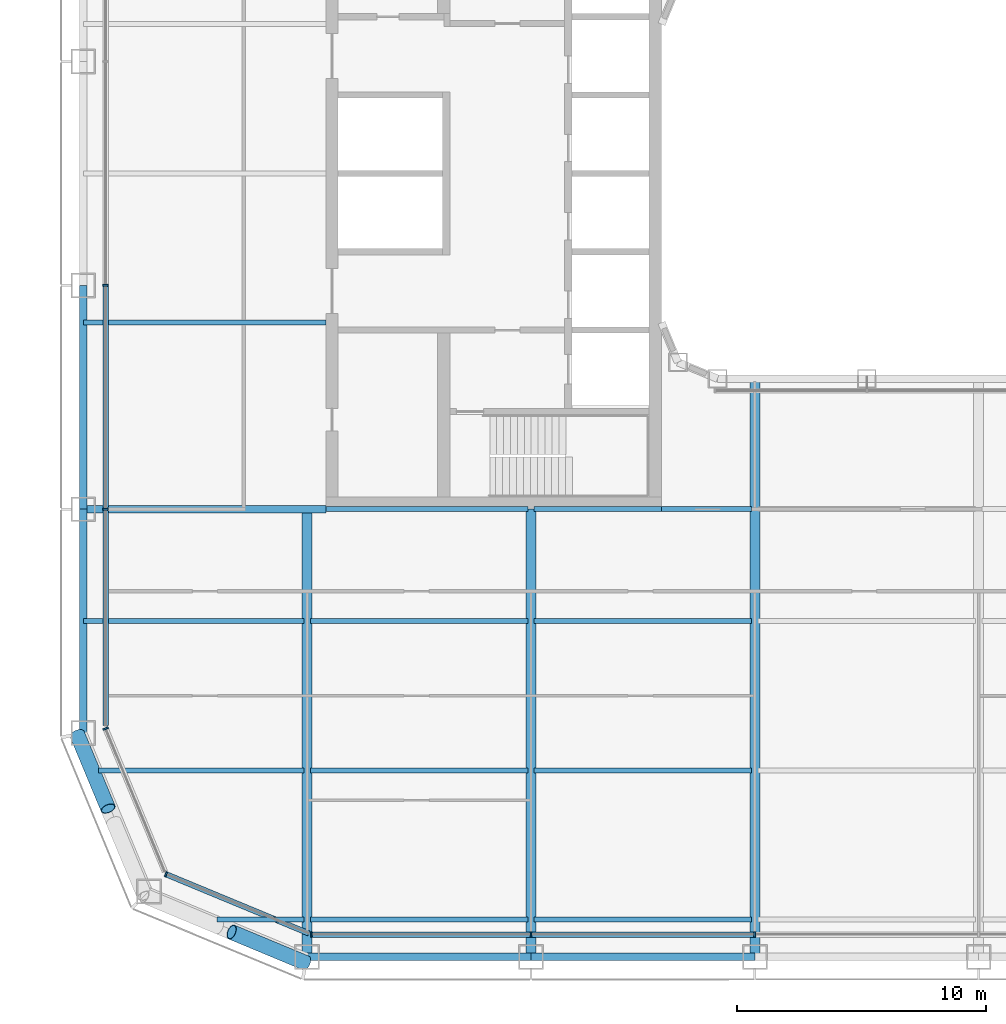
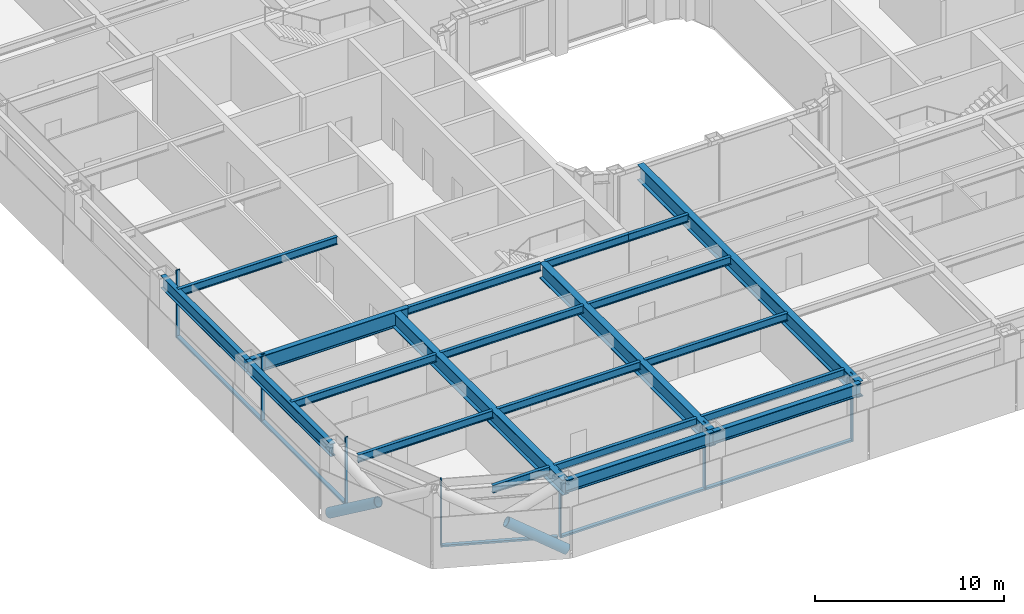
# One storey, part 2 of 28: 21 beams, 14 members, 4 elements without a shape of their own.
"""IFC4 building model written with IfcOpenShell, lengths in metres."""

from ifc_helpers import new_model, si_unit, direction, frame, origin, origin_2d, place, context, subcontext, project, spatial, rectangle, hollow_circle, i_section, extrude, material, layer, layer_set, material_profile, profile_set, type_object, element, aggregate, save


model = new_model("IFC4")

# Units and contexts
model_context = context("Model", 3, precision=1e-05, world=origin(), true_north=direction((0.0, 1.0)))
body_context = subcontext(model_context, "Body", "Model", "MODEL_VIEW")
ifc_project = project(units=[si_unit("LENGTHUNIT", "METRE"), si_unit("AREAUNIT", "SQUARE_METRE"), si_unit("VOLUMEUNIT", "CUBIC_METRE"), si_unit("PLANEANGLEUNIT", "RADIAN"), si_unit("MASSUNIT", "GRAM", prefix="KILO")], contexts=[model_context])

# Site, building, storey
site_placement = place(None, origin())
site = spatial("IfcSite", under=ifc_project, at=site_placement, CompositionType="ELEMENT")
building_placement = place(site_placement, origin())
building = spatial("IfcBuilding", under=site, at=building_placement, Name="Siwar Civic Tower", CompositionType="ELEMENT")
storey_placement = place(building_placement, frame((0.0, 0.0, 85.199951171875)))
storey = spatial("IfcBuildingStorey", under=building, at=storey_placement, Name="L18", CompositionType="ELEMENT", Elevation=85.199951171875)

# Curtain wall, members
ifc_material_1 = material(Name="Aluminium and glass", Category="aluminium")
ifc_layer_1 = layer(ifc_material_1, 0.219970703125)
ifc_layer_set_1 = layer_set([ifc_layer_1], Name="Aluminium and glass")
curtain_wall_type_1 = type_object("IfcCurtainWallType", Name="ENV-CW-A", PredefinedType="NOTDEFINED", material=ifc_layer_set_1)
curtain_wall_1_placement = place(storey_placement, origin())
curtain_wall_1 = element("IfcCurtainWall", 1, at=curtain_wall_1_placement, inside=storey, type_object=curtain_wall_type_1, Name="Curtain wall A S", PredefinedType="NOTDEFINED")
ifc_material_2 = material(Name="Aluminium 6063-T6", Category="aluminium")
ifc_material_profile_1 = material_profile(ifc_material_2, rectangle(XDim=0.219970703125, YDim=0.070068359375, at=origin_2d()), Name="AL 220x70")
ifc_profile_set_1 = profile_set([ifc_material_profile_1], Name="Aluminium 6063-T6")
member_type_1 = type_object("IfcMemberType", Name="ENV-MULLION-A", PredefinedType="MULLION", material=ifc_profile_set_1)
member_1_placement = place(storey_placement, frame((-22.321044921875, -30.60009765625, 0.0), z_axis=(0.0, 0.0, 1.0), x_axis=(0.0, 1.0, 0.0)))
member_1 = element("IfcMember", 2, at=member_1_placement, type_object=member_type_1, Name="Mullion A S 1", PredefinedType="MULLION", context=body_context, shape_type="SweptSolid", body=[
    extrude(rectangle(XDim=0.219970703125, YDim=0.070068359375, at=origin_2d()), origin(), (0.0, 0.0, 1.0), 4.35009765625),
])
member_2_placement = place(storey_placement, frame((-13.5, -30.60009765625, 0.0), z_axis=(0.0, 0.0, 1.0), x_axis=(0.0, 1.0, 0.0)))
member_2 = element("IfcMember", 3, at=member_2_placement, type_object=member_type_1, Name="Mullion A S 2", PredefinedType="MULLION", context=body_context, shape_type="SweptSolid", body=[
    extrude(rectangle(XDim=0.219970703125, YDim=0.070068359375, at=origin_2d()), origin(), (0.0, 0.0, 1.0), 4.35009765625),
])
member_3_placement = place(storey_placement, frame((-4.5, -30.60009765625, 0.0), z_axis=(0.0, 0.0, 1.0), x_axis=(0.0, 1.0, 0.0)))
member_3 = element("IfcMember", 4, at=member_3_placement, type_object=member_type_1, Name="Mullion A S 3", PredefinedType="MULLION", context=body_context, shape_type="SweptSolid", body=[
    extrude(rectangle(XDim=0.219970703125, YDim=0.070068359375, at=origin_2d()), origin(), (0.0, 0.0, 1.0), 4.35009765625),
])

curtain_wall_2_placement = place(storey_placement, origin())
curtain_wall_2 = element("IfcCurtainWall", 5, at=curtain_wall_2_placement, inside=storey, type_object=curtain_wall_type_1, Name="Curtain wall A W", PredefinedType="NOTDEFINED")
member_4_placement = place(storey_placement, frame((-30.60009765625, -4.5, 0.0), z_axis=(0.0, 0.0, 1.0), x_axis=(1.0, 0.0, 0.0)))
member_4 = element("IfcMember", 6, at=member_4_placement, type_object=member_type_1, Name="Mullion A W 4", PredefinedType="MULLION", context=body_context, shape_type="SweptSolid", body=[
    extrude(rectangle(XDim=0.219970703125, YDim=0.070068359375, at=origin_2d()), origin(), (0.0, 0.0, 1.0), 4.35009765625),
])
member_5_placement = place(storey_placement, frame((-30.60009765625, -13.5, 0.0), z_axis=(0.0, 0.0, 1.0), x_axis=(1.0, 0.0, 0.0)))
member_5 = element("IfcMember", 7, at=member_5_placement, type_object=member_type_1, Name="Mullion A W 5", PredefinedType="MULLION", context=body_context, shape_type="SweptSolid", body=[
    extrude(rectangle(XDim=0.219970703125, YDim=0.070068359375, at=origin_2d()), origin(), (0.0, 0.0, 1.0), 4.35009765625),
])

# Curtain wall, member
ifc_material_3 = material(Name="Aluminium clad insulated panel", Category="aluminium")
ifc_layer_2 = layer(ifc_material_3, 0.219970703125)
ifc_layer_set_2 = layer_set([ifc_layer_2], Name="Aluminium clad insulated panel")
curtain_wall_type_2 = type_object("IfcCurtainWallType", Name="ENV-CW-AX", PredefinedType="NOTDEFINED", material=ifc_layer_set_2)
curtain_wall_3_placement = place(storey_placement, origin())
curtain_wall_3 = element("IfcCurtainWall", 8, at=curtain_wall_3_placement, inside=storey, type_object=curtain_wall_type_2, Name="Curtain wall A SW1", PredefinedType="NOTDEFINED")
member_6_placement = place(storey_placement, frame((-30.60009765625, -22.321044921875, 0.0), z_axis=(0.0, 0.0, 1.0), x_axis=(0.923879532511, 0.382683432365, 0.0)))
member_6 = element("IfcMember", 9, at=member_6_placement, type_object=member_type_1, Name="Mullion A SW1 1", PredefinedType="MULLION", context=body_context, shape_type="SweptSolid", body=[
    extrude(rectangle(XDim=0.219970703125, YDim=0.070068359375, at=origin_2d()), origin(), (0.0, 0.0, 1.0), 4.35009765625),
])
aggregate(curtain_wall_3, [member_6])

curtain_wall_4_placement = place(storey_placement, origin())
curtain_wall_4 = element("IfcCurtainWall", 10, at=curtain_wall_4_placement, inside=storey, type_object=curtain_wall_type_2, Name="Curtain wall A SW2", PredefinedType="NOTDEFINED")
member_7_placement = place(storey_placement, frame((-28.175048828125, -28.175048828125, 0.0), z_axis=(0.0, 0.0, 1.0), x_axis=(0.382683432365, 0.923879532511, 0.0)))
member_7 = element("IfcMember", 11, at=member_7_placement, type_object=member_type_1, Name="Mullion A SW2 1", PredefinedType="MULLION", context=body_context, shape_type="SweptSolid", body=[
    extrude(rectangle(XDim=0.219970703125, YDim=0.070068359375, at=origin_2d()), origin(), (0.0, 0.0, 1.0), 4.35009765625),
])

# Member
ifc_material_4 = material(Name="Aluminium 6063-T6", Category="aluminium")
ifc_material_profile_2 = material_profile(ifc_material_4, rectangle(XDim=0.219970703125, YDim=0.1201171875, at=origin_2d()), Name="AL 220x120")
ifc_profile_set_2 = profile_set([ifc_material_profile_2], Name="Aluminium 6063-T6")
member_type_2 = type_object("IfcMemberType", Name="ENV-TRANSOM-A", PredefinedType="USERDEFINED", material=ifc_profile_set_2)
member_8_placement = place(storey_placement, frame((-22.285888671875, -30.60009765625, 0.06005859375), z_axis=(1.0, 0.0, 0.0), x_axis=(0.0, 1.0, 0.0)))
member_8 = element("IfcMember", 12, at=member_8_placement, type_object=member_type_2, Name="Transom A S 1", ObjectType="TRANSOM", PredefinedType="USERDEFINED", context=body_context, shape_type="SweptSolid", body=[
    extrude(rectangle(XDim=0.219970703125, YDim=0.1201171875, at=origin_2d()), origin(), (0.0, 0.0, 1.0), 8.7509765625),
])

member_9_placement = place(storey_placement, frame((-13.465087890625, -30.60009765625, 0.06005859375), z_axis=(1.0, 0.0, 0.0), x_axis=(0.0, 1.0, 0.0)))
member_9 = element("IfcMember", 13, at=member_9_placement, type_object=member_type_2, Name="Transom A S 2", ObjectType="TRANSOM", PredefinedType="USERDEFINED", context=body_context, shape_type="SweptSolid", body=[
    extrude(rectangle(XDim=0.219970703125, YDim=0.1201171875, at=origin_2d()), origin(), (0.0, 0.0, 1.0), 8.93017578125),
])

aggregate(curtain_wall_1, [member_1, member_2, member_3, member_8, member_9])

member_10_placement = place(storey_placement, frame((-30.60009765625, -4.534912109375, 0.06005859375), z_axis=(0.0, -1.0, 0.0), x_axis=(1.0, 0.0, 0.0)))
member_10 = element("IfcMember", 14, at=member_10_placement, type_object=member_type_2, Name="Transom A W 4", ObjectType="TRANSOM", PredefinedType="USERDEFINED", context=body_context, shape_type="SweptSolid", body=[
    extrude(rectangle(XDim=0.219970703125, YDim=0.1201171875, at=origin_2d()), origin(), (0.0, 0.0, 1.0), 8.93017578125),
])

member_11_placement = place(storey_placement, frame((-30.60009765625, -13.534912109375, 0.06005859375), z_axis=(0.0, -1.0, 0.0), x_axis=(1.0, 0.0, 0.0)))
member_11 = element("IfcMember", 15, at=member_11_placement, type_object=member_type_2, Name="Transom A W 5", ObjectType="TRANSOM", PredefinedType="USERDEFINED", context=body_context, shape_type="SweptSolid", body=[
    extrude(rectangle(XDim=0.219970703125, YDim=0.1201171875, at=origin_2d()), origin(), (0.0, 0.0, 1.0), 8.66357421875),
])

aggregate(curtain_wall_2, [member_4, member_5, member_10, member_11])

member_12_placement = place(storey_placement, frame((-28.142822265625, -28.1884765625, 0.06005859375), z_axis=(0.923873326341, -0.382698415042, 0.0), x_axis=(0.382698415042, 0.923873326341, 0.0)))
member_12 = element("IfcMember", 16, at=member_12_placement, type_object=member_type_2, Name="Transom A SW2 1", ObjectType="TRANSOM", PredefinedType="USERDEFINED", context=body_context, shape_type="SweptSolid", body=[
    extrude(rectangle(XDim=0.219970703125, YDim=0.1201171875, at=origin_2d()), origin(), (0.0, 0.0, 1.0), 6.17919921875),
])

aggregate(curtain_wall_4, [member_7, member_12])

# Members
ifc_material_5 = material(Name="Steel S355", Category="steel")
ifc_material_profile_3 = material_profile(ifc_material_5, hollow_circle(Radius=0.304931640625, WallThickness=0.030029296875, at=origin_2d()), Name="CHS610x30")
ifc_profile_set_3 = profile_set([ifc_material_profile_3], Name="Steel S355")
member_type_3 = type_object("IfcMemberType", Name="STR-BR-CHS610x30", PredefinedType="BRACE", material=ifc_profile_set_3)
for number, where, z_axis, x_axis, name in (
    (17, (-22.548828125, -31.7451171875, 0.0), (-0.777533059308, 0.323882123145, 0.539020140617), (-0.384524353215, -0.923114847559, 0.0), "L18/brc/ASW1-17-0-2"),
    (18, (-31.7451171875, -22.548828125, 0.0), (0.323882123145, -0.777533059308, 0.539020140617), (0.923114847559, 0.384524353215, 0.0), "L18/brc/ASW1-17-0-4"),
):
    element("IfcMember", number, at=place(storey_placement, frame(where, z_axis=z_axis, x_axis=x_axis)), inside=storey, type_object=member_type_3, Name=name, PredefinedType="BRACE", context=body_context, shape_type="SweptSolid", body=[
        extrude(hollow_circle(Radius=0.304931640625, WallThickness=0.030029296875, at=origin_2d()), origin(), (0.0, 0.0, 1.0), 3.843505859375),
    ])

# Beams
ifc_material_6 = material(Name="Steel S355", Category="steel")
ifc_material_profile_4 = material_profile(ifc_material_6, i_section(OverallWidth=0.199951171875, OverallDepth=0.5, WebThickness=0.01025390625, FlangeThickness=0.01611328125, FilletRadius=0.02099609375, at=origin_2d()), Name="IPE500")
ifc_profile_set_4 = profile_set([ifc_material_profile_4], Name="Steel S355")
beam_type_1 = type_object("IfcBeamType", Name="STR-FB-IPE500", PredefinedType="JOIST", material=ifc_profile_set_4)
beam_1_placement = place(storey_placement, frame((-26.121337890625, -30.0, 4.10009765625), z_axis=(1.0, 0.0, 0.0), x_axis=(0.0, 1.0, 0.0)))
element("IfcBeam", 19, at=beam_1_placement, inside=storey, type_object=beam_type_1, Name="L18/bm/F001", PredefinedType="JOIST", context=body_context, shape_type="SweptSolid", body=[
    extrude(i_section(OverallWidth=0.199951171875, OverallDepth=0.5, WebThickness=0.01025390625, FlangeThickness=0.01611328125, FilletRadius=0.02099609375, at=origin_2d()), origin(), (0.0, 0.0, 1.0), 3.491455078125),
])
for number, where, z_axis, x_axis, name in (
    (20, (-22.3701171875, -30.0, 4.10009765625), (1.0, 0.0, 0.0), (0.0, 1.0, 0.0), "L18/bm/F002"),
    (21, (-13.3701171875, -30.0, 4.10009765625), (1.0, 0.0, 0.0), (0.0, 1.0, 0.0), "L18/bm/F003"),
):
    element("IfcBeam", number, at=place(storey_placement, frame(where, z_axis=z_axis, x_axis=x_axis)), inside=storey, type_object=beam_type_1, Name=name, PredefinedType="JOIST", context=body_context, shape_type="SweptSolid", body=[
        extrude(i_section(OverallWidth=0.199951171875, OverallDepth=0.5, WebThickness=0.01025390625, FlangeThickness=0.01611328125, FilletRadius=0.02099609375, at=origin_2d()), origin(), (0.0, 0.0, 1.0), 8.740234375),
    ])
beam_2_placement = place(storey_placement, frame((-30.878662109375, -24.0, 4.10009765625), z_axis=(1.0, 0.0, 0.0), x_axis=(0.0, 1.0, 0.0)))
element("IfcBeam", 22, at=beam_2_placement, inside=storey, type_object=beam_type_1, Name="L18/bm/F008", PredefinedType="JOIST", context=body_context, shape_type="SweptSolid", body=[
    extrude(i_section(OverallWidth=0.199951171875, OverallDepth=0.5, WebThickness=0.01025390625, FlangeThickness=0.01611328125, FilletRadius=0.02099609375, at=origin_2d()), origin(), (0.0, 0.0, 1.0), 8.248779296875),
])
for number, where, z_axis, x_axis, name in (
    (23, (-22.3701171875, -24.0, 4.10009765625), (1.0, 0.0, 0.0), (0.0, 1.0, 0.0), "L18/bm/F009"),
    (24, (-13.3701171875, -24.0, 4.10009765625), (1.0, 0.0, 0.0), (0.0, 1.0, 0.0), "L18/bm/F010"),
):
    element("IfcBeam", number, at=place(storey_placement, frame(where, z_axis=z_axis, x_axis=x_axis)), inside=storey, type_object=beam_type_1, Name=name, PredefinedType="JOIST", context=body_context, shape_type="SweptSolid", body=[
        extrude(i_section(OverallWidth=0.199951171875, OverallDepth=0.5, WebThickness=0.01025390625, FlangeThickness=0.01611328125, FilletRadius=0.02099609375, at=origin_2d()), origin(), (0.0, 0.0, 1.0), 8.740234375),
    ])
beam_3_placement = place(storey_placement, frame((-31.5, -18.0, 4.10009765625), z_axis=(1.0, 0.0, 0.0), x_axis=(0.0, 1.0, 0.0)))
element("IfcBeam", 25, at=beam_3_placement, inside=storey, type_object=beam_type_1, Name="L18/bm/F015", PredefinedType="JOIST", context=body_context, shape_type="SweptSolid", body=[
    extrude(i_section(OverallWidth=0.199951171875, OverallDepth=0.5, WebThickness=0.01025390625, FlangeThickness=0.01611328125, FilletRadius=0.02099609375, at=origin_2d()), origin(), (0.0, 0.0, 1.0), 8.8701171875),
])
for number, where, z_axis, x_axis, name in (
    (26, (-22.3701171875, -18.0, 4.10009765625), (1.0, 0.0, 0.0), (0.0, 1.0, 0.0), "L18/bm/F016"),
    (27, (-13.3701171875, -18.0, 4.10009765625), (1.0, 0.0, 0.0), (0.0, 1.0, 0.0), "L18/bm/F017"),
):
    element("IfcBeam", number, at=place(storey_placement, frame(where, z_axis=z_axis, x_axis=x_axis)), inside=storey, type_object=beam_type_1, Name=name, PredefinedType="JOIST", context=body_context, shape_type="SweptSolid", body=[
        extrude(i_section(OverallWidth=0.199951171875, OverallDepth=0.5, WebThickness=0.01025390625, FlangeThickness=0.01611328125, FilletRadius=0.02099609375, at=origin_2d()), origin(), (0.0, 0.0, 1.0), 8.740234375),
    ])
beam_4_placement = place(storey_placement, frame((-21.75, -13.5, 4.10009765625), z_axis=(1.0, 0.0, 0.0), x_axis=(0.0, 1.0, 0.0)))
element("IfcBeam", 28, at=beam_4_placement, inside=storey, type_object=beam_type_1, Name="L18/bm/F023", PredefinedType="JOIST", context=body_context, shape_type="SweptSolid", body=[
    extrude(i_section(OverallWidth=0.199951171875, OverallDepth=0.5, WebThickness=0.01025390625, FlangeThickness=0.01611328125, FilletRadius=0.02099609375, at=origin_2d()), origin(), (0.0, 0.0, 1.0), 8.1201171875),
])
beam_5_placement = place(storey_placement, frame((-13.3701171875, -13.5, 4.10009765625), z_axis=(1.0, 0.0, 0.0), x_axis=(0.0, 1.0, 0.0)))
element("IfcBeam", 29, at=beam_5_placement, inside=storey, type_object=beam_type_1, Name="L18/bm/F024", PredefinedType="JOIST", context=body_context, shape_type="SweptSolid", body=[
    extrude(i_section(OverallWidth=0.199951171875, OverallDepth=0.5, WebThickness=0.01025390625, FlangeThickness=0.01611328125, FilletRadius=0.02099609375, at=origin_2d()), origin(), (0.0, 0.0, 1.0), 5.1201171875),
])
beam_6_placement = place(storey_placement, frame((-8.25, -13.5, 4.10009765625), z_axis=(1.0, 0.0, 0.0), x_axis=(0.0, 1.0, 0.0)))
element("IfcBeam", 30, at=beam_6_placement, inside=storey, type_object=beam_type_1, Name="L18/bm/F025", PredefinedType="JOIST", context=body_context, shape_type="SweptSolid", body=[
    extrude(i_section(OverallWidth=0.199951171875, OverallDepth=0.5, WebThickness=0.01025390625, FlangeThickness=0.01611328125, FilletRadius=0.02099609375, at=origin_2d()), origin(), (0.0, 0.0, 1.0), 3.6201171875),
])
beam_7_placement = place(storey_placement, frame((-31.5, -6.0, 4.10009765625), z_axis=(1.0, 0.0, 0.0), x_axis=(0.0, 1.0, 0.0)))
element("IfcBeam", 31, at=beam_7_placement, inside=storey, type_object=beam_type_1, Name="L18/bm/F031", PredefinedType="JOIST", context=body_context, shape_type="SweptSolid", body=[
    extrude(i_section(OverallWidth=0.199951171875, OverallDepth=0.5, WebThickness=0.01025390625, FlangeThickness=0.01611328125, FilletRadius=0.02099609375, at=origin_2d()), origin(), (0.0, 0.0, 1.0), 9.75),
])
ifc_material_7 = material(Name="Steel S355", Category="steel")
ifc_material_profile_5 = material_profile(ifc_material_7, i_section(OverallWidth=0.300048828125, OverallDepth=1.0, WebThickness=0.01904296875, FlangeThickness=0.035888671875, FilletRadius=0.030029296875, at=origin_2d()), Name="HEB1000")
ifc_profile_set_5 = profile_set([ifc_material_profile_5], Name="Steel S355")
beam_type_2 = type_object("IfcBeamType", Name="STR-PG-HEB1000", PredefinedType="BEAM", material=ifc_profile_set_5)
beam_8_placement = place(storey_placement, frame((-31.5, -13.5, 3.85009765625), z_axis=(1.0, 0.0, 0.0), x_axis=(0.0, 1.0, 0.0)))
element("IfcBeam", 32, at=beam_8_placement, inside=storey, type_object=beam_type_2, Name="L18/bm/F022", PredefinedType="BEAM", context=body_context, shape_type="SweptSolid", body=[
    extrude(i_section(OverallWidth=0.300048828125, OverallDepth=1.0, WebThickness=0.01904296875, FlangeThickness=0.035888671875, FilletRadius=0.030029296875, at=origin_2d()), origin(), (0.0, 0.0, 1.0), 9.75),
])
ifc_material_8 = material(Name="Steel S355", Category="steel")
ifc_material_profile_6 = material_profile(ifc_material_8, i_section(OverallWidth=0.39990234375, OverallDepth=1.0, WebThickness=0.01611328125, FlangeThickness=0.0400390625, at=origin_2d()), Name="PG1000x400x16x40")
ifc_profile_set_6 = profile_set([ifc_material_profile_6], Name="Steel S355")
beam_type_3 = type_object("IfcBeamType", Name="STR-PG-PG1000x400x16x40", PredefinedType="BEAM", material=ifc_profile_set_6)
for number, where, z_axis, x_axis, name in (
    (33, (-22.5, -31.5, 3.85009765625), (0.0, 1.0, 0.0), (-1.0, 0.0, 0.0), "L18/bm/G01"),
    (34, (-13.5, -31.5, 3.85009765625), (0.0, 1.0, 0.0), (-1.0, 0.0, 0.0), "L18/bm/G03"),
):
    element("IfcBeam", number, at=place(storey_placement, frame(where, z_axis=z_axis, x_axis=x_axis)), inside=storey, type_object=beam_type_3, Name=name, PredefinedType="BEAM", context=body_context, shape_type="SweptSolid", body=[
        extrude(i_section(OverallWidth=0.39990234375, OverallDepth=1.0, WebThickness=0.01611328125, FlangeThickness=0.0400390625, at=origin_2d()), origin(), (0.0, 0.0, 1.0), 18.0),
    ])
beam_9_placement = place(storey_placement, frame((-4.5, -31.5, 3.85009765625), z_axis=(0.0, 1.0, 0.0), x_axis=(-1.0, 0.0, 0.0)))
element("IfcBeam", 35, at=beam_9_placement, inside=storey, type_object=beam_type_3, Name="L18/bm/G05", PredefinedType="BEAM", context=body_context, shape_type="SweptSolid", body=[
    extrude(i_section(OverallWidth=0.39990234375, OverallDepth=1.0, WebThickness=0.01611328125, FlangeThickness=0.0400390625, at=origin_2d()), origin(), (0.0, 0.0, 1.0), 23.25),
])
ifc_material_9 = material(Name="Steel S355", Category="steel")
ifc_material_profile_7 = material_profile(ifc_material_9, i_section(OverallWidth=0.302978515625, OverallDepth=0.81396484375, WebThickness=0.02099609375, FlangeThickness=0.0400390625, FilletRadius=0.030029296875, at=origin_2d()), Name="HEM800")
ifc_profile_set_7 = profile_set([ifc_material_profile_7], Name="Steel S355")
beam_type_4 = type_object("IfcBeamType", Name="STR-SB-HEM800", PredefinedType="BEAM", material=ifc_profile_set_7)
for number, where, z_axis, x_axis, name in (
    (36, (-22.5, -31.5, 3.943115234375), (1.0, 0.0, 0.0), (0.0, 1.0, 0.0), "L18/bm/SS-0"),
    (37, (-13.5, -31.5, 3.943115234375), (1.0, 0.0, 0.0), (0.0, 1.0, 0.0), "L18/bm/SS-1"),
    (38, (-31.5, -4.5, 3.943115234375), (0.0, -1.0, 0.0), (1.0, 0.0, 0.0), "L18/bm/SW-3"),
    (39, (-31.5, -13.5, 3.943115234375), (0.0, -1.0, 0.0), (1.0, 0.0, 0.0), "L18/bm/SW-4"),
):
    element("IfcBeam", number, at=place(storey_placement, frame(where, z_axis=z_axis, x_axis=x_axis)), inside=storey, type_object=beam_type_4, Name=name, PredefinedType="BEAM", context=body_context, shape_type="SweptSolid", body=[
        extrude(i_section(OverallWidth=0.302978515625, OverallDepth=0.81396484375, WebThickness=0.02099609375, FlangeThickness=0.0400390625, FilletRadius=0.030029296875, at=origin_2d()), origin(), (0.0, 0.0, 1.0), 9.0),
    ])

save(model, "model.ifc")
